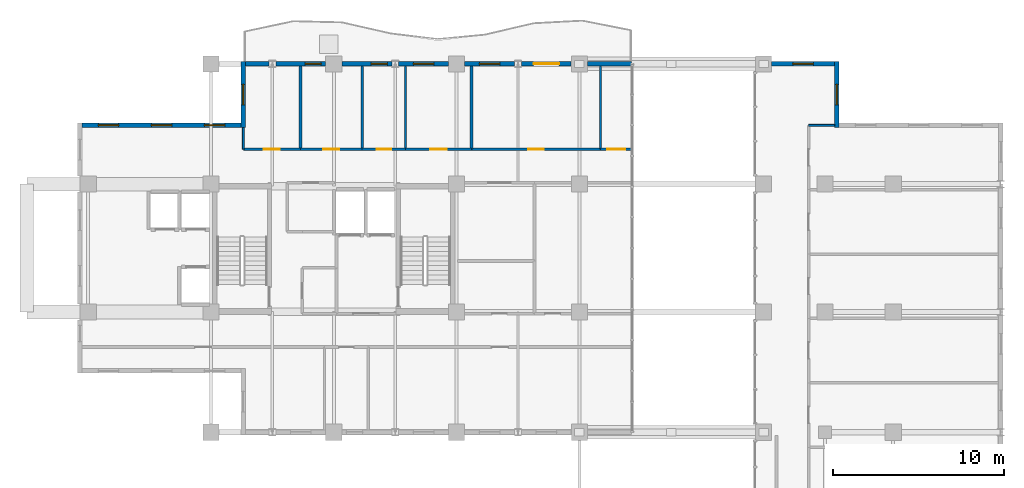
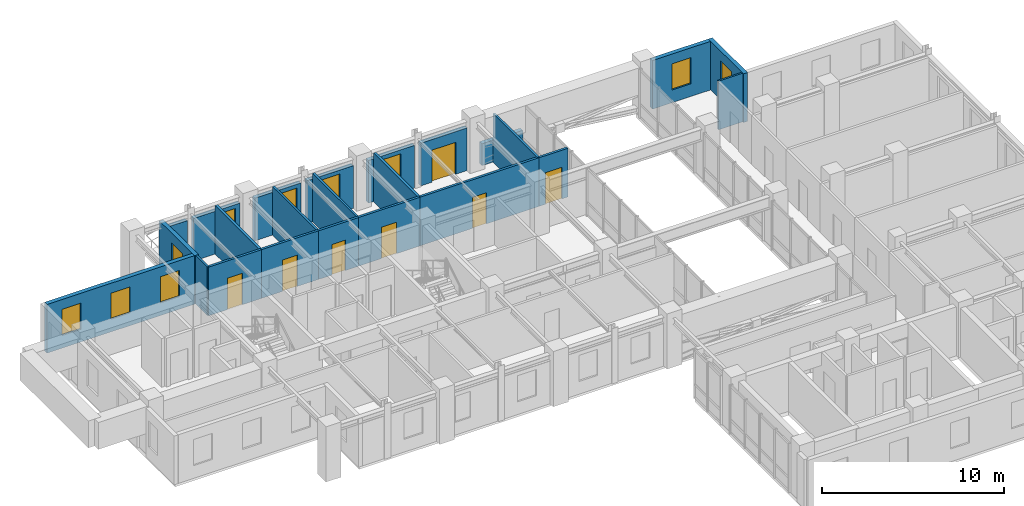
# One storey, part 20 of 23: 24 walls, 10 windows, 7 doors, 17 openings.
"""IFC4 building model written with IfcOpenShell, lengths in metres."""

from ifc_helpers import new_model, si_unit, direction, frame, frame_2d, origin, place, context, subcontext, project, spatial, rectangle, extrude, material, layer, layer_set, type_object, element, fill, save


model = new_model("IFC4")

# Units and contexts
model_context = context("Model", 3, precision=1e-05, world=origin(), true_north=direction((0.0, 1.0)))
body_context = subcontext(model_context, "Body", "Model", "MODEL_VIEW")
ifc_project = project(units=[si_unit("LENGTHUNIT", "METRE"), si_unit("AREAUNIT", "SQUARE_METRE"), si_unit("VOLUMEUNIT", "CUBIC_METRE"), si_unit("PLANEANGLEUNIT", "RADIAN"), si_unit("MASSUNIT", "GRAM", prefix="KILO")], contexts=[model_context])

# Site, building, storey
site_placement = place(None, origin())
site = spatial("IfcSite", under=ifc_project, at=site_placement, CompositionType="ELEMENT")
building_placement = place(site_placement, origin())
building = spatial("IfcBuilding", under=site, at=building_placement, Name="Kaliganga Portal Commons", CompositionType="ELEMENT")
storey_placement = place(building_placement, frame((0.0, 0.0, 246.199951171875)))
storey = spatial("IfcBuildingStorey", under=building, at=storey_placement, Name="L63", CompositionType="ELEMENT", Elevation=246.199951171875)

# Wall
ifc_material_1 = material(Name="Insulated Aluminium-Clad Spandrel Assembly", Category="aluminium")
ifc_layer_1 = layer(ifc_material_1, 0.260009765625)
ifc_layer_set_1 = layer_set([ifc_layer_1], Name="Insulated Aluminium-Clad Spandrel Assembly")
wall_type_1 = type_object("IfcWallType", Name="WL-EXT-SPAND-260", PredefinedType="STANDARD", material=ifc_layer_set_1)
wall_1_placement = place(storey_placement, frame((36.47607421875, 43.199951171875, 0.0), z_axis=(0.0, 0.0, 1.0), x_axis=(1.0, 0.0, 0.0)))
element("IfcWall", 1, at=wall_1_placement, inside=storey, type_object=wall_type_1, Name="Exterior Envelope Wall L63 P1-E02-S1", PredefinedType="STANDARD", context=body_context, shape_type="SweptSolid", body=[
    extrude(rectangle(XDim=2.5869140625, YDim=0.260009765625, at=frame_2d((1.29345703125, 0.0))), origin(), (0.0, 0.0, 1.0), 1.4599609375),
])

# Wall, opening, door
wall_2_placement = place(storey_placement, frame((32.6005859375, 43.199951171875, 0.0), z_axis=(0.0, 0.0, 1.0), x_axis=(1.0, 0.0, 0.0)))
wall_2 = element("IfcWall", 2, at=wall_2_placement, inside=storey, type_object=wall_type_1, Name="Exterior Envelope Wall L63 P1-E02-S2", PredefinedType="STANDARD", context=body_context, shape_type="SweptSolid", body=[
    extrude(rectangle(XDim=2.92333984375, YDim=0.260009765625, at=frame_2d((1.461669921875, 0.0))), origin(), (0.0, 0.0, 1.0), 2.860107421875),
])
opening_1_placement = place(wall_2_placement, frame((0.7119140625, 0.0, 0.0)))
opening_1 = element("IfcOpeningElement", 3, at=opening_1_placement, cuts=wall_2, Name="Opening BD-01", PredefinedType="OPENING", context=body_context, shape_type="SweptSolid", body=[
    extrude(rectangle(XDim=1.5, YDim=2.14990234375, at=frame_2d((0.75, 1.074951171875))), frame((0.0, 0.14013671875, 0.0), z_axis=(0.0, -1.0, 0.0), x_axis=(1.0, 0.0, 0.0)), (0.0, 0.0, 1.0), 0.280029296875),
])
ifc_material_2 = material(Name="Anodized Aluminium and Laminated Safety Glass", Category="aluminium")
door_type_1 = type_object("IfcDoorType", Name="DR-BALC-1500", OperationType="SLIDING_TO_LEFT", PredefinedType="DOOR", material=ifc_material_2)
door_1_placement = place(opening_1_placement, origin())
door_1 = element("IfcDoor", 4, at=door_1_placement, inside=storey, type_object=door_type_1, Name="Balcony Sliding Door L63 balc_north", OperationType="SLIDING_TO_LEFT", OverallHeight=2.14990234375, OverallWidth=1.5, PredefinedType="DOOR", context=body_context, shape_type="SweptSolid", body=[
    extrude(rectangle(XDim=1.5, YDim=2.14990234375, at=frame_2d((0.75, 1.074951171875))), frame((0.0, 0.02490234375, 0.0), z_axis=(0.0, -1.0, 0.0), x_axis=(1.0, 0.0, 0.0)), (0.0, 0.0, 1.0), 0.050048828125),
])
fill(opening_1, door_1)

# Wall, opening, window
wall_3_placement = place(storey_placement, frame((29.27587890625, 43.199951171875, 0.0), z_axis=(0.0, 0.0, 1.0), x_axis=(1.0, 0.0, 0.0)))
wall_3 = element("IfcWall", 5, at=wall_3_placement, inside=storey, type_object=wall_type_1, Name="Exterior Envelope Wall L63 P1-E02-S3", PredefinedType="STANDARD", context=body_context, shape_type="SweptSolid", body=[
    extrude(rectangle(XDim=2.923583984375, YDim=0.260009765625, at=frame_2d((1.4619140625, 0.0))), origin(), (0.0, 0.0, 1.0), 2.860107421875),
])
opening_2_placement = place(wall_3_placement, frame((0.86181640625, 0.0, 0.85009765625)))
opening_2 = element("IfcOpeningElement", 6, at=opening_2_placement, cuts=wall_3, Name="Opening W-03", PredefinedType="OPENING", context=body_context, shape_type="SweptSolid", body=[
    extrude(rectangle(XDim=1.199951171875, YDim=1.75, at=frame_2d((0.60009765625, 0.875))), frame((0.0, 0.14013671875, 0.0), z_axis=(0.0, -1.0, 0.0), x_axis=(1.0, 0.0, 0.0)), (0.0, 0.0, 1.0), 0.280029296875),
])
ifc_material_3 = material(Name="Thermally Broken Aluminium and Low-E Double Glazing", Category="aluminium")
window_type_1 = type_object("IfcWindowType", Name="WIN-STD-1200", PartitioningType="SINGLE_PANEL", PredefinedType="WINDOW", material=ifc_material_3)
window_1_placement = place(opening_2_placement, origin())
window_1 = element("IfcWindow", 7, at=window_1_placement, inside=storey, type_object=window_type_1, Name="Facade Window L63-P1E02S3-00", OverallHeight=1.75, OverallWidth=1.199951171875, PartitioningType="SINGLE_PANEL", PredefinedType="WINDOW", context=body_context, shape_type="SweptSolid", body=[
    extrude(rectangle(XDim=1.199951171875, YDim=1.75, at=frame_2d((0.60009765625, 0.875))), frame((0.0, 0.030029296875, 0.0), z_axis=(0.0, -1.0, 0.0), x_axis=(1.0, 0.0, 0.0)), (0.0, 0.0, 1.0), 0.06005859375),
])
fill(opening_2, window_1)

wall_4_placement = place(storey_placement, frame((25.400390625, 43.199951171875, 0.0), z_axis=(0.0, 0.0, 1.0), x_axis=(1.0, 0.0, 0.0)))
wall_4 = element("IfcWall", 8, at=wall_4_placement, inside=storey, type_object=wall_type_1, Name="Exterior Envelope Wall L63 P1-E02-S4", PredefinedType="STANDARD", context=body_context, shape_type="SweptSolid", body=[
    extrude(rectangle(XDim=2.923583984375, YDim=0.260009765625, at=frame_2d((1.4619140625, 0.0))), origin(), (0.0, 0.0, 1.0), 2.860107421875),
])
opening_3_placement = place(wall_4_placement, frame((0.86181640625, 0.0, 0.85009765625)))
opening_3 = element("IfcOpeningElement", 9, at=opening_3_placement, cuts=wall_4, Name="Opening W-03", PredefinedType="OPENING", context=body_context, shape_type="SweptSolid", body=[
    extrude(rectangle(XDim=1.199951171875, YDim=1.75, at=frame_2d((0.60009765625, 0.875))), frame((0.0, 0.14013671875, 0.0), z_axis=(0.0, -1.0, 0.0), x_axis=(1.0, 0.0, 0.0)), (0.0, 0.0, 1.0), 0.280029296875),
])
window_2_placement = place(opening_3_placement, origin())
window_2 = element("IfcWindow", 10, at=window_2_placement, inside=storey, type_object=window_type_1, Name="Facade Window L63-P1E02S4-00", OverallHeight=1.75, OverallWidth=1.199951171875, PartitioningType="SINGLE_PANEL", PredefinedType="WINDOW", context=body_context, shape_type="SweptSolid", body=[
    extrude(rectangle(XDim=1.199951171875, YDim=1.75, at=frame_2d((0.60009765625, 0.875))), frame((0.0, 0.030029296875, 0.0), z_axis=(0.0, -1.0, 0.0), x_axis=(1.0, 0.0, 0.0)), (0.0, 0.0, 1.0), 0.06005859375),
])
fill(opening_3, window_2)

wall_5_placement = place(storey_placement, frame((22.075927734375, 43.199951171875, 0.0), z_axis=(0.0, 0.0, 1.0), x_axis=(1.0, 0.0, 0.0)))
wall_5 = element("IfcWall", 11, at=wall_5_placement, inside=storey, type_object=wall_type_1, Name="Exterior Envelope Wall L63 P1-E02-S5", PredefinedType="STANDARD", context=body_context, shape_type="SweptSolid", body=[
    extrude(rectangle(XDim=2.923583984375, YDim=0.260009765625, at=frame_2d((1.4619140625, 0.0))), origin(), (0.0, 0.0, 1.0), 2.860107421875),
])
opening_4_placement = place(wall_5_placement, frame((1.7119140625, 0.0, 0.85009765625)))
opening_4 = element("IfcOpeningElement", 12, at=opening_4_placement, cuts=wall_5, Name="Opening W-04", PredefinedType="OPENING", context=body_context, shape_type="SweptSolid", body=[
    extrude(rectangle(XDim=0.949951171875, YDim=1.75, at=frame_2d((0.47509765625, 0.875))), frame((0.0, 0.14013671875, 0.0), z_axis=(0.0, -1.0, 0.0), x_axis=(1.0, 0.0, 0.0)), (0.0, 0.0, 1.0), 0.280029296875),
])
window_type_2 = type_object("IfcWindowType", Name="WIN-NARROW-950", PartitioningType="SINGLE_PANEL", PredefinedType="WINDOW", material=ifc_material_3)
window_3_placement = place(opening_4_placement, origin())
window_3 = element("IfcWindow", 13, at=window_3_placement, inside=storey, type_object=window_type_2, Name="Facade Window L63-P1E02S5-N2", OverallHeight=1.75, OverallWidth=0.949951171875, PartitioningType="SINGLE_PANEL", PredefinedType="WINDOW", context=body_context, shape_type="SweptSolid", body=[
    extrude(rectangle(XDim=0.949951171875, YDim=1.75, at=frame_2d((0.47509765625, 0.875))), frame((0.0, 0.030029296875, 0.0), z_axis=(0.0, -1.0, 0.0), x_axis=(1.0, 0.0, 0.0)), (0.0, 0.0, 1.0), 0.06005859375),
])
fill(opening_4, window_3)

wall_6_placement = place(storey_placement, frame((18.200439453125, 43.199951171875, 0.0), z_axis=(0.0, 0.0, 1.0), x_axis=(1.0, 0.0, 0.0)))
wall_6 = element("IfcWall", 14, at=wall_6_placement, inside=storey, type_object=wall_type_1, Name="Exterior Envelope Wall L63 P1-E02-S6", PredefinedType="STANDARD", context=body_context, shape_type="SweptSolid", body=[
    extrude(rectangle(XDim=2.923583984375, YDim=0.260009765625, at=frame_2d((1.4619140625, 0.0))), origin(), (0.0, 0.0, 1.0), 2.860107421875),
])
opening_5_placement = place(wall_6_placement, frame((1.7119140625, 0.0, 0.85009765625)))
opening_5 = element("IfcOpeningElement", 15, at=opening_5_placement, cuts=wall_6, Name="Opening W-04", PredefinedType="OPENING", context=body_context, shape_type="SweptSolid", body=[
    extrude(rectangle(XDim=0.949951171875, YDim=1.75, at=frame_2d((0.47509765625, 0.875))), frame((0.0, 0.14013671875, 0.0), z_axis=(0.0, -1.0, 0.0), x_axis=(1.0, 0.0, 0.0)), (0.0, 0.0, 1.0), 0.280029296875),
])
window_4_placement = place(opening_5_placement, origin())
window_4 = element("IfcWindow", 16, at=window_4_placement, inside=storey, type_object=window_type_2, Name="Facade Window L63-P1E02S6-N2", OverallHeight=1.75, OverallWidth=0.949951171875, PartitioningType="SINGLE_PANEL", PredefinedType="WINDOW", context=body_context, shape_type="SweptSolid", body=[
    extrude(rectangle(XDim=0.949951171875, YDim=1.75, at=frame_2d((0.47509765625, 0.875))), frame((0.0, 0.030029296875, 0.0), z_axis=(0.0, -1.0, 0.0), x_axis=(1.0, 0.0, 0.0)), (0.0, 0.0, 1.0), 0.06005859375),
])
fill(opening_5, window_4)

# Wall
wall_7_placement = place(storey_placement, frame((16.43505859375, 43.199951171875, 0.0), z_axis=(0.0, 0.0, 1.0), x_axis=(1.0, 0.0, 0.0)))
element("IfcWall", 17, at=wall_7_placement, inside=storey, type_object=wall_type_1, Name="Exterior Envelope Wall L63 P1-E02-S7", PredefinedType="STANDARD", context=body_context, shape_type="SweptSolid", body=[
    extrude(rectangle(XDim=1.364501953125, YDim=0.260009765625, at=frame_2d((0.68212890625, 0.0))), origin(), (0.0, 0.0, 1.0), 2.860107421875),
])

# Wall, opening, window
wall_8_placement = place(storey_placement, frame((16.300048828125, 39.469970703125, 0.0), z_axis=(0.0, 0.0, 1.0), x_axis=(0.0, 1.0, 0.0)))
wall_8 = element("IfcWall", 18, at=wall_8_placement, inside=storey, type_object=wall_type_1, Name="Exterior Envelope Wall L63 P1-E03-S1", PredefinedType="STANDARD", context=body_context, shape_type="SweptSolid", body=[
    extrude(rectangle(XDim=3.860107421875, YDim=0.260009765625, at=frame_2d((1.93017578125, 0.0))), origin(), (0.0, 0.0, 1.0), 3.260009765625),
])
opening_6_placement = place(wall_8_placement, frame((1.330078125, 0.0, 0.85009765625)))
opening_6 = element("IfcOpeningElement", 19, at=opening_6_placement, cuts=wall_8, Name="Opening W-03", PredefinedType="OPENING", context=body_context, shape_type="SweptSolid", body=[
    extrude(rectangle(XDim=1.199951171875, YDim=1.75, at=frame_2d((0.60009765625, 0.875))), frame((0.0, 0.14013671875, 0.0), z_axis=(0.0, -1.0, 0.0), x_axis=(1.0, 0.0, 0.0)), (0.0, 0.0, 1.0), 0.280029296875),
])
window_5_placement = place(opening_6_placement, origin())
window_5 = element("IfcWindow", 20, at=window_5_placement, inside=storey, type_object=window_type_1, Name="Facade Window L63-P1E03S1-00", OverallHeight=1.75, OverallWidth=1.199951171875, PartitioningType="SINGLE_PANEL", PredefinedType="WINDOW", context=body_context, shape_type="SweptSolid", body=[
    extrude(rectangle(XDim=1.199951171875, YDim=1.75, at=frame_2d((0.60009765625, 0.875))), frame((0.0, 0.030029296875, 0.0), z_axis=(0.0, -1.0, 0.0), x_axis=(1.0, 0.0, 0.0)), (0.0, 0.0, 1.0), 0.06005859375),
])
fill(opening_6, window_5)

# Wall, openings, windows
wall_9_placement = place(storey_placement, frame((6.8349609375, 39.60009765625, 0.0), z_axis=(0.0, 0.0, 1.0), x_axis=(1.0, 0.0, 0.0)))
wall_9 = element("IfcWall", 21, at=wall_9_placement, inside=storey, type_object=wall_type_1, Name="Exterior Envelope Wall L63 P1-E04-S1", PredefinedType="STANDARD", context=body_context, shape_type="SweptSolid", body=[
    extrude(rectangle(XDim=9.330078125, YDim=0.260009765625, at=frame_2d((4.6650390625, 0.0))), origin(), (0.0, 0.0, 1.0), 3.260009765625),
])
opening_7_placement = place(wall_9_placement, frame((0.955078125, 0.0, 0.85009765625)))
opening_7 = element("IfcOpeningElement", 22, at=opening_7_placement, cuts=wall_9, Name="Opening W-03", PredefinedType="OPENING", context=body_context, shape_type="SweptSolid", body=[
    extrude(rectangle(XDim=1.199951171875, YDim=1.75, at=frame_2d((0.60009765625, 0.875))), frame((0.0, 0.14013671875, 0.0), z_axis=(0.0, -1.0, 0.0), x_axis=(1.0, 0.0, 0.0)), (0.0, 0.0, 1.0), 0.280029296875),
])
opening_8_placement = place(wall_9_placement, frame((4.06494140625, 0.0, 0.85009765625)))
opening_8 = element("IfcOpeningElement", 23, at=opening_8_placement, cuts=wall_9, Name="Opening W-03", PredefinedType="OPENING", context=body_context, shape_type="SweptSolid", body=[
    extrude(rectangle(XDim=1.199951171875, YDim=1.75, at=frame_2d((0.60009765625, 0.875))), frame((0.0, 0.14013671875, 0.0), z_axis=(0.0, -1.0, 0.0), x_axis=(1.0, 0.0, 0.0)), (0.0, 0.0, 1.0), 0.280029296875),
])
opening_9_placement = place(wall_9_placement, frame((7.175048828125, 0.0, 0.85009765625)))
opening_9 = element("IfcOpeningElement", 24, at=opening_9_placement, cuts=wall_9, Name="Opening W-03", PredefinedType="OPENING", context=body_context, shape_type="SweptSolid", body=[
    extrude(rectangle(XDim=1.199951171875, YDim=1.75, at=frame_2d((0.60009765625, 0.875))), frame((0.0, 0.14013671875, 0.0), z_axis=(0.0, -1.0, 0.0), x_axis=(1.0, 0.0, 0.0)), (0.0, 0.0, 1.0), 0.280029296875),
])
window_6_placement = place(opening_7_placement, origin())
window_6 = element("IfcWindow", 25, at=window_6_placement, inside=storey, type_object=window_type_1, Name="Facade Window L63-P1E04S1-00", OverallHeight=1.75, OverallWidth=1.199951171875, PartitioningType="SINGLE_PANEL", PredefinedType="WINDOW", context=body_context, shape_type="SweptSolid", body=[
    extrude(rectangle(XDim=1.199951171875, YDim=1.75, at=frame_2d((0.60009765625, 0.875))), frame((0.0, 0.030029296875, 0.0), z_axis=(0.0, -1.0, 0.0), x_axis=(1.0, 0.0, 0.0)), (0.0, 0.0, 1.0), 0.06005859375),
])
fill(opening_7, window_6)
window_7_placement = place(opening_8_placement, origin())
window_7 = element("IfcWindow", 26, at=window_7_placement, inside=storey, type_object=window_type_1, Name="Facade Window L63-P1E04S1-01", OverallHeight=1.75, OverallWidth=1.199951171875, PartitioningType="SINGLE_PANEL", PredefinedType="WINDOW", context=body_context, shape_type="SweptSolid", body=[
    extrude(rectangle(XDim=1.199951171875, YDim=1.75, at=frame_2d((0.60009765625, 0.875))), frame((0.0, 0.030029296875, 0.0), z_axis=(0.0, -1.0, 0.0), x_axis=(1.0, 0.0, 0.0)), (0.0, 0.0, 1.0), 0.06005859375),
])
fill(opening_8, window_7)
window_8_placement = place(opening_9_placement, origin())
window_8 = element("IfcWindow", 27, at=window_8_placement, inside=storey, type_object=window_type_1, Name="Facade Window L63-P1E04S1-02", OverallHeight=1.75, OverallWidth=1.199951171875, PartitioningType="SINGLE_PANEL", PredefinedType="WINDOW", context=body_context, shape_type="SweptSolid", body=[
    extrude(rectangle(XDim=1.199951171875, YDim=1.75, at=frame_2d((0.60009765625, 0.875))), frame((0.0, 0.030029296875, 0.0), z_axis=(0.0, -1.0, 0.0), x_axis=(1.0, 0.0, 0.0)), (0.0, 0.0, 1.0), 0.06005859375),
])
fill(opening_9, window_8)

# Wall, opening, window
wall_10_placement = place(storey_placement, frame((51.10009765625, 43.330078125, 0.0), z_axis=(0.0, 0.0, 1.0), x_axis=(0.0, -1.0, 0.0)))
wall_10 = element("IfcWall", 28, at=wall_10_placement, inside=storey, type_object=wall_type_1, Name="Exterior Envelope Wall L63 P2-E05-S1", PredefinedType="STANDARD", context=body_context, shape_type="SweptSolid", body=[
    extrude(rectangle(XDim=3.860107421875, YDim=0.260009765625, at=frame_2d((1.93017578125, 0.0))), origin(), (0.0, 0.0, 1.0), 3.260009765625),
])
opening_10_placement = place(wall_10_placement, frame((1.330078125, 0.0, 0.85009765625)))
opening_10 = element("IfcOpeningElement", 29, at=opening_10_placement, cuts=wall_10, Name="Opening W-03", PredefinedType="OPENING", context=body_context, shape_type="SweptSolid", body=[
    extrude(rectangle(XDim=1.199951171875, YDim=1.75, at=frame_2d((0.60009765625, 0.875))), frame((0.0, 0.14013671875, 0.0), z_axis=(0.0, -1.0, 0.0), x_axis=(1.0, 0.0, 0.0)), (0.0, 0.0, 1.0), 0.280029296875),
])
window_9_placement = place(opening_10_placement, origin())
window_9 = element("IfcWindow", 30, at=window_9_placement, inside=storey, type_object=window_type_1, Name="Facade Window L63-P2E05S1-00", OverallHeight=1.75, OverallWidth=1.199951171875, PartitioningType="SINGLE_PANEL", PredefinedType="WINDOW", context=body_context, shape_type="SweptSolid", body=[
    extrude(rectangle(XDim=1.199951171875, YDim=1.75, at=frame_2d((0.60009765625, 0.875))), frame((0.0, 0.030029296875, 0.0), z_axis=(0.0, -1.0, 0.0), x_axis=(1.0, 0.0, 0.0)), (0.0, 0.0, 1.0), 0.06005859375),
])
fill(opening_10, window_9)

wall_11_placement = place(storey_placement, frame((47.27587890625, 43.199951171875, 0.0), z_axis=(0.0, 0.0, 1.0), x_axis=(1.0, 0.0, 0.0)))
wall_11 = element("IfcWall", 31, at=wall_11_placement, inside=storey, type_object=wall_type_1, Name="Exterior Envelope Wall L63 P2-E06-S1", PredefinedType="STANDARD", context=body_context, shape_type="SweptSolid", body=[
    extrude(rectangle(XDim=3.689208984375, YDim=0.260009765625, at=frame_2d((1.8447265625, 0.0))), origin(), (0.0, 0.0, 1.0), 3.260009765625),
])
opening_11_placement = place(wall_11_placement, frame((1.244384765625, 0.0, 0.85009765625)))
opening_11 = element("IfcOpeningElement", 32, at=opening_11_placement, cuts=wall_11, Name="Opening W-03", PredefinedType="OPENING", context=body_context, shape_type="SweptSolid", body=[
    extrude(rectangle(XDim=1.199951171875, YDim=1.75, at=frame_2d((0.60009765625, 0.875))), frame((0.0, 0.14013671875, 0.0), z_axis=(0.0, -1.0, 0.0), x_axis=(1.0, 0.0, 0.0)), (0.0, 0.0, 1.0), 0.280029296875),
])
window_10_placement = place(opening_11_placement, origin())
window_10 = element("IfcWindow", 33, at=window_10_placement, inside=storey, type_object=window_type_1, Name="Facade Window L63-P2E06S1-00", OverallHeight=1.75, OverallWidth=1.199951171875, PartitioningType="SINGLE_PANEL", PredefinedType="WINDOW", context=body_context, shape_type="SweptSolid", body=[
    extrude(rectangle(XDim=1.199951171875, YDim=1.75, at=frame_2d((0.60009765625, 0.875))), frame((0.0, 0.030029296875, 0.0), z_axis=(0.0, -1.0, 0.0), x_axis=(1.0, 0.0, 0.0)), (0.0, 0.0, 1.0), 0.06005859375),
])
fill(opening_11, window_10)

# Wall, opening, door
ifc_material_4 = material(Name="Fire-Rated Gypsum Board on Steel Stud", Category="steel")
ifc_layer_2 = layer(ifc_material_4, 0.14990234375)
ifc_layer_set_2 = layer_set([ifc_layer_2], Name="Fire-Rated Gypsum Board on Steel Stud")
wall_type_2 = type_object("IfcWallType", Name="WL-PART-CORR-150", PredefinedType="PARTITIONING", material=ifc_layer_set_2)
wall_12_placement = place(storey_placement, frame((29.679931640625, 38.199951171875, 0.0), z_axis=(0.0, 0.0, 1.0), x_axis=(1.0, 0.0, 0.0)))
wall_12 = element("IfcWall", 34, at=wall_12_placement, inside=storey, type_object=wall_type_2, Name="Interior Partition L63-005", PredefinedType="PARTITIONING", context=body_context, shape_type="SweptSolid", body=[
    extrude(rectangle(XDim=7.56005859375, YDim=0.14990234375, at=frame_2d((3.780029296875, 0.0))), origin(), (0.0, 0.0, 1.0), 3.260009765625),
])
opening_12_placement = place(wall_12_placement, frame((3.330078125, 0.0, 0.0)))
opening_12 = element("IfcOpeningElement", 35, at=opening_12_placement, cuts=wall_12, Name="Opening RD-01", PredefinedType="OPENING", context=body_context, shape_type="SweptSolid", body=[
    extrude(rectangle(XDim=0.89990234375, YDim=2.080078125, at=frame_2d((0.449951171875, 1.0400390625))), frame((0.0, 0.0849609375, 0.0), z_axis=(0.0, -1.0, 0.0), x_axis=(1.0, 0.0, 0.0)), (0.0, 0.0, 1.0), 0.169921875),
])
ifc_material_5 = material(Name="Engineered Timber Flush Door", Category="wood")
door_type_2 = type_object("IfcDoorType", Name="DR-ROOM-900", OperationType="NOTDEFINED", PredefinedType="DOOR", material=ifc_material_5)
door_2_placement = place(opening_12_placement, origin())
door_2 = element("IfcDoor", 36, at=door_2_placement, inside=storey, type_object=door_type_2, Name="Interior Door L63-AN05", OperationType="SINGLE_SWING_RIGHT", OverallHeight=2.080078125, OverallWidth=0.89990234375, PredefinedType="DOOR", context=body_context, shape_type="SweptSolid", body=[
    extrude(rectangle(XDim=0.89990234375, YDim=2.080078125, at=frame_2d((0.449951171875, 1.0400390625))), frame((0.0, 0.02490234375, 0.0), z_axis=(0.0, -1.0, 0.0), x_axis=(1.0, 0.0, 0.0)), (0.0, 0.0, 1.0), 0.050048828125),
])
fill(opening_12, door_2)

wall_13_placement = place(storey_placement, frame((25.800048828125, 38.199951171875, 0.0), z_axis=(0.0, 0.0, 1.0), x_axis=(1.0, 0.0, 0.0)))
wall_13 = element("IfcWall", 37, at=wall_13_placement, inside=storey, type_object=wall_type_2, Name="Interior Partition L63-013", PredefinedType="PARTITIONING", context=body_context, shape_type="SweptSolid", body=[
    extrude(rectangle(XDim=3.8798828125, YDim=0.14990234375, at=frame_2d((1.93994140625, 0.0))), origin(), (0.0, 0.0, 1.0), 3.260009765625),
])
opening_13_placement = place(wall_13_placement, frame((1.465087890625, 0.0, 0.0)))
opening_13 = element("IfcOpeningElement", 38, at=opening_13_placement, cuts=wall_13, Name="Opening UD-01", PredefinedType="OPENING", context=body_context, shape_type="SweptSolid", body=[
    extrude(rectangle(XDim=0.949951171875, YDim=2.10009765625, at=frame_2d((0.47509765625, 1.050048828125))), frame((0.0, 0.0849609375, 0.0), z_axis=(0.0, -1.0, 0.0), x_axis=(1.0, 0.0, 0.0)), (0.0, 0.0, 1.0), 0.169921875),
])
ifc_material_6 = material(Name="Solid-Core Timber Acoustic Fire Door", Category="wood")
door_type_3 = type_object("IfcDoorType", Name="DR-UNIT-950", OperationType="NOTDEFINED", PredefinedType="DOOR", material=ifc_material_6)
door_3_placement = place(opening_13_placement, origin())
door_3 = element("IfcDoor", 39, at=door_3_placement, inside=storey, type_object=door_type_3, Name="Interior Door L63-AN04", OperationType="SINGLE_SWING_RIGHT", OverallHeight=2.10009765625, OverallWidth=0.949951171875, PredefinedType="DOOR", context=body_context, shape_type="SweptSolid", body=[
    extrude(rectangle(XDim=0.949951171875, YDim=2.10009765625, at=frame_2d((0.47509765625, 1.050048828125))), frame((0.0, 0.02490234375, 0.0), z_axis=(0.0, -1.0, 0.0), x_axis=(1.0, 0.0, 0.0)), (0.0, 0.0, 1.0), 0.050048828125),
])
fill(opening_13, door_3)

wall_14_placement = place(storey_placement, frame((19.639892578125, 38.199951171875, 0.0), z_axis=(0.0, 0.0, 1.0), x_axis=(1.0, 0.0, 0.0)))
wall_14 = element("IfcWall", 40, at=wall_14_placement, inside=storey, type_object=wall_type_2, Name="Interior Partition L63-021", PredefinedType="PARTITIONING", context=body_context, shape_type="SweptSolid", body=[
    extrude(rectangle(XDim=3.6201171875, YDim=0.14990234375, at=frame_2d((1.81005859375, 0.0))), origin(), (0.0, 0.0, 1.0), 3.260009765625),
])
opening_14_placement = place(wall_14_placement, frame((1.3349609375, 0.0, 0.0)))
opening_14 = element("IfcOpeningElement", 41, at=opening_14_placement, cuts=wall_14, Name="Opening UD-01", PredefinedType="OPENING", context=body_context, shape_type="SweptSolid", body=[
    extrude(rectangle(XDim=0.949951171875, YDim=2.10009765625, at=frame_2d((0.47509765625, 1.050048828125))), frame((0.0, 0.0849609375, 0.0), z_axis=(0.0, -1.0, 0.0), x_axis=(1.0, 0.0, 0.0)), (0.0, 0.0, 1.0), 0.169921875),
])
door_4_placement = place(opening_14_placement, origin())
door_4 = element("IfcDoor", 42, at=door_4_placement, inside=storey, type_object=door_type_3, Name="Interior Door L63-AN02", OperationType="SINGLE_SWING_LEFT", OverallHeight=2.10009765625, OverallWidth=0.949951171875, PredefinedType="DOOR", context=body_context, shape_type="SweptSolid", body=[
    extrude(rectangle(XDim=0.949951171875, YDim=2.10009765625, at=frame_2d((0.47509765625, 1.050048828125))), frame((0.0, 0.02490234375, 0.0), z_axis=(0.0, -1.0, 0.0), x_axis=(1.0, 0.0, 0.0)), (0.0, 0.0, 1.0), 0.050048828125),
])
fill(opening_14, door_4)

wall_15_placement = place(storey_placement, frame((16.300048828125, 38.199951171875, 0.0), z_axis=(0.0, 0.0, 1.0), x_axis=(1.0, 0.0, 0.0)))
wall_15 = element("IfcWall", 43, at=wall_15_placement, inside=storey, type_object=wall_type_2, Name="Interior Partition L63-023", PredefinedType="PARTITIONING", context=body_context, shape_type="SweptSolid", body=[
    extrude(rectangle(XDim=3.33984375, YDim=0.14990234375, at=frame_2d((1.669921875, 0.0))), origin(), (0.0, 0.0, 1.0), 3.260009765625),
])
opening_15_placement = place(wall_15_placement, frame((1.195068359375, 0.0, 0.0)))
opening_15 = element("IfcOpeningElement", 44, at=opening_15_placement, cuts=wall_15, Name="Opening UD-01", PredefinedType="OPENING", context=body_context, shape_type="SweptSolid", body=[
    extrude(rectangle(XDim=0.949951171875, YDim=2.10009765625, at=frame_2d((0.47509765625, 1.050048828125))), frame((0.0, 0.0849609375, 0.0), z_axis=(0.0, -1.0, 0.0), x_axis=(1.0, 0.0, 0.0)), (0.0, 0.0, 1.0), 0.169921875),
])
door_5_placement = place(opening_15_placement, origin())
door_5 = element("IfcDoor", 45, at=door_5_placement, inside=storey, type_object=door_type_3, Name="Interior Door L63-AN01", OperationType="SINGLE_SWING_LEFT", OverallHeight=2.10009765625, OverallWidth=0.949951171875, PredefinedType="DOOR", context=body_context, shape_type="SweptSolid", body=[
    extrude(rectangle(XDim=0.949951171875, YDim=2.10009765625, at=frame_2d((0.47509765625, 1.050048828125))), frame((0.0, 0.02490234375, 0.0), z_axis=(0.0, -1.0, 0.0), x_axis=(1.0, 0.0, 0.0)), (0.0, 0.0, 1.0), 0.050048828125),
])
fill(opening_15, door_5)

wall_16_placement = place(storey_placement, frame((23.260009765625, 38.199951171875, 0.0), z_axis=(0.0, 0.0, 1.0), x_axis=(1.0, 0.0, 0.0)))
wall_16 = element("IfcWall", 46, at=wall_16_placement, inside=storey, type_object=wall_type_2, Name="Interior Partition L63-030", PredefinedType="PARTITIONING", context=body_context, shape_type="SweptSolid", body=[
    extrude(rectangle(XDim=2.5400390625, YDim=0.14990234375, at=frame_2d((1.27001953125, 0.0))), origin(), (0.0, 0.0, 1.0), 3.260009765625),
])
opening_16_placement = place(wall_16_placement, frame((0.844970703125, 0.0, 0.0)))
opening_16 = element("IfcOpeningElement", 47, at=opening_16_placement, cuts=wall_16, Name="Opening WD-01", PredefinedType="OPENING", context=body_context, shape_type="SweptSolid", body=[
    extrude(rectangle(XDim=0.85009765625, YDim=2.0400390625, at=frame_2d((0.425048828125, 1.02001953125))), frame((0.0, 0.0849609375, 0.0), z_axis=(0.0, -1.0, 0.0), x_axis=(1.0, 0.0, 0.0)), (0.0, 0.0, 1.0), 0.169921875),
])
ifc_material_7 = material(Name="Moisture-Resistant Laminate Timber Door", Category="wood")
door_type_4 = type_object("IfcDoorType", Name="DR-WET-850", OperationType="NOTDEFINED", PredefinedType="DOOR", material=ifc_material_7)
door_6_placement = place(opening_16_placement, origin())
door_6 = element("IfcDoor", 48, at=door_6_placement, inside=storey, type_object=door_type_4, Name="Interior Door L63-AN03", OperationType="SINGLE_SWING_LEFT", OverallHeight=2.0400390625, OverallWidth=0.85009765625, PredefinedType="DOOR", context=body_context, shape_type="SweptSolid", body=[
    extrude(rectangle(XDim=0.85009765625, YDim=2.0400390625, at=frame_2d((0.425048828125, 1.02001953125))), frame((0.0, 0.02490234375, 0.0), z_axis=(0.0, -1.0, 0.0), x_axis=(1.0, 0.0, 0.0)), (0.0, 0.0, 1.0), 0.050048828125),
])
fill(opening_16, door_6)

wall_17_placement = place(storey_placement, frame((37.239990234375, 38.199951171875, 0.0), z_axis=(0.0, 0.0, 1.0), x_axis=(1.0, 0.0, 0.0)))
wall_17 = element("IfcWall", 49, at=wall_17_placement, inside=storey, type_object=wall_type_2, Name="Interior Partition L63-035", PredefinedType="PARTITIONING", context=body_context, shape_type="SweptSolid", body=[
    extrude(rectangle(XDim=1.840087890625, YDim=0.14990234375, at=frame_2d((0.919921875, 0.0))), origin(), (0.0, 0.0, 1.0), 3.260009765625),
])
opening_17_placement = place(wall_17_placement, frame((0.39501953125, 0.0, 0.0)))
opening_17 = element("IfcOpeningElement", 50, at=opening_17_placement, cuts=wall_17, Name="Opening UD-02", PredefinedType="OPENING", context=body_context, shape_type="SweptSolid", body=[
    extrude(rectangle(XDim=1.050048828125, YDim=2.1201171875, at=frame_2d((0.52490234375, 1.06005859375))), frame((0.0, 0.0849609375, 0.0), z_axis=(0.0, -1.0, 0.0), x_axis=(1.0, 0.0, 0.0)), (0.0, 0.0, 1.0), 0.169921875),
])
ifc_material_8 = material(Name="Accessible Wide-Leaf Acoustic Fire Door", Category="wood")
door_type_5 = type_object("IfcDoorType", Name="DR-ACC-1050", OperationType="NOTDEFINED", PredefinedType="DOOR", material=ifc_material_8)
door_7_placement = place(opening_17_placement, origin())
door_7 = element("IfcDoor", 51, at=door_7_placement, inside=storey, type_object=door_type_5, Name="Interior Door L63-AN06", OperationType="SINGLE_SWING_RIGHT", OverallHeight=2.1201171875, OverallWidth=1.050048828125, PredefinedType="DOOR", context=body_context, shape_type="SweptSolid", body=[
    extrude(rectangle(XDim=1.050048828125, YDim=2.1201171875, at=frame_2d((0.52490234375, 1.06005859375))), frame((0.0, 0.02490234375, 0.0), z_axis=(0.0, -1.0, 0.0), x_axis=(1.0, 0.0, 0.0)), (0.0, 0.0, 1.0), 0.050048828125),
])
fill(opening_17, door_7)

# Walls
ifc_material_9 = material(Name="Moisture-Resistant Gypsum Partition", Category="gypsum")
ifc_layer_3 = layer(ifc_material_9, 0.114990234375)
ifc_layer_set_3 = layer_set([ifc_layer_3], Name="Moisture-Resistant Gypsum Partition")
wall_type_3 = type_object("IfcWallType", Name="WL-PART-ROOM-115", PredefinedType="PARTITIONING", material=ifc_layer_set_3)
wall_18_placement = place(storey_placement, frame((49.43994140625, 39.60009765625, 0.0), z_axis=(0.0, 0.0, 1.0), x_axis=(1.0, 0.0, 0.0)))
element("IfcWall", 52, at=wall_18_placement, inside=storey, type_object=wall_type_3, Name="Interior Partition L63-046", PredefinedType="PARTITIONING", context=body_context, shape_type="SweptSolid", body=[
    extrude(rectangle(XDim=1.528076171875, YDim=0.114990234375, at=frame_2d((0.76416015625, 0.0))), origin(), (0.0, 0.0, 1.0), 3.260009765625),
])
wall_19_placement = place(storey_placement, frame((16.300048828125, 38.199951171875, 0.0), z_axis=(0.0, 0.0, 1.0), x_axis=(0.0, 1.0, 0.0)))
element("IfcWall", 53, at=wall_19_placement, inside=storey, type_object=wall_type_3, Name="Interior Partition L63-047", PredefinedType="PARTITIONING", context=body_context, shape_type="SweptSolid", body=[
    extrude(rectangle(XDim=1.26806640625, YDim=0.114990234375, at=frame_2d((0.634033203125, 0.0))), origin(), (0.0, 0.0, 1.0), 3.260009765625),
])
ifc_material_10 = material(Name="Twin-Stud Acoustic Gypsum Partition", Category="gypsum")
ifc_layer_4 = layer(ifc_material_10, 0.1650390625)
ifc_layer_set_4 = layer_set([ifc_layer_4], Name="Twin-Stud Acoustic Gypsum Partition")
wall_type_4 = type_object("IfcWallType", Name="WL-PART-UNIT-165", PredefinedType="PARTITIONING", material=ifc_layer_set_4)
for number, where, z_axis, x_axis, name in (
    (54, (19.639892578125, 38.199951171875, 0.0), (0.0, 0.0, 1.0), (0.0, 1.0, 0.0), "Interior Partition L63-048"),
    (55, (29.679931640625, 38.199951171875, 0.0), (0.0, 0.0, 1.0), (0.0, 1.0, 0.0), "Interior Partition L63-053"),
):
    element("IfcWall", number, at=place(storey_placement, frame(where, z_axis=z_axis, x_axis=x_axis)), inside=storey, type_object=wall_type_4, Name=name, PredefinedType="PARTITIONING", context=body_context, shape_type="SweptSolid", body=[
        extrude(rectangle(XDim=4.8681640625, YDim=0.1650390625, at=frame_2d((2.43408203125, 0.0))), origin(), (0.0, 0.0, 1.0), 3.260009765625),
    ])
ifc_material_11 = material(Name="Cement-Board Wet-Room Partition", Category="gypsum")
ifc_layer_5 = layer(ifc_material_11, 0.135009765625)
ifc_layer_set_5 = layer_set([ifc_layer_5], Name="Cement-Board Wet-Room Partition")
wall_type_5 = type_object("IfcWallType", Name="WL-PART-WET-135", PredefinedType="PARTITIONING", material=ifc_layer_set_5)
for number, where, z_axis, x_axis, name in (
    (56, (23.260009765625, 38.199951171875, 0.0), (0.0, 0.0, 1.0), (0.0, 1.0, 0.0), "Interior Partition L63-050"),
    (57, (25.800048828125, 38.199951171875, 0.0), (0.0, 0.0, 1.0), (0.0, 1.0, 0.0), "Interior Partition L63-052"),
    (58, (37.239990234375, 38.199951171875, 0.0), (0.0, 0.0, 1.0), (0.0, 1.0, 0.0), "Interior Partition L63-054"),
):
    element("IfcWall", number, at=place(storey_placement, frame(where, z_axis=z_axis, x_axis=x_axis)), inside=storey, type_object=wall_type_5, Name=name, PredefinedType="PARTITIONING", context=body_context, shape_type="SweptSolid", body=[
        extrude(rectangle(XDim=4.8681640625, YDim=0.135009765625, at=frame_2d((2.43408203125, 0.0))), origin(), (0.0, 0.0, 1.0), 3.260009765625),
    ])

save(model, "model.ifc")
